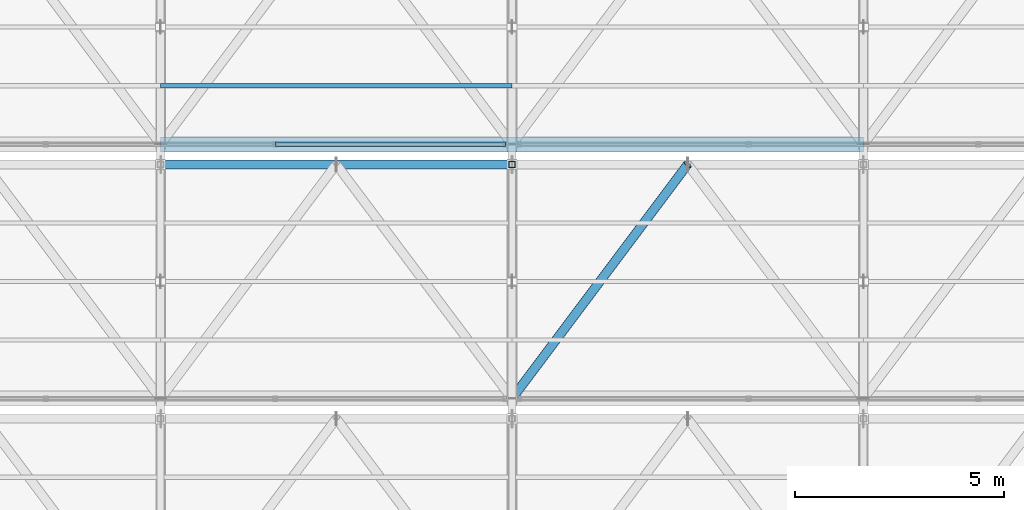
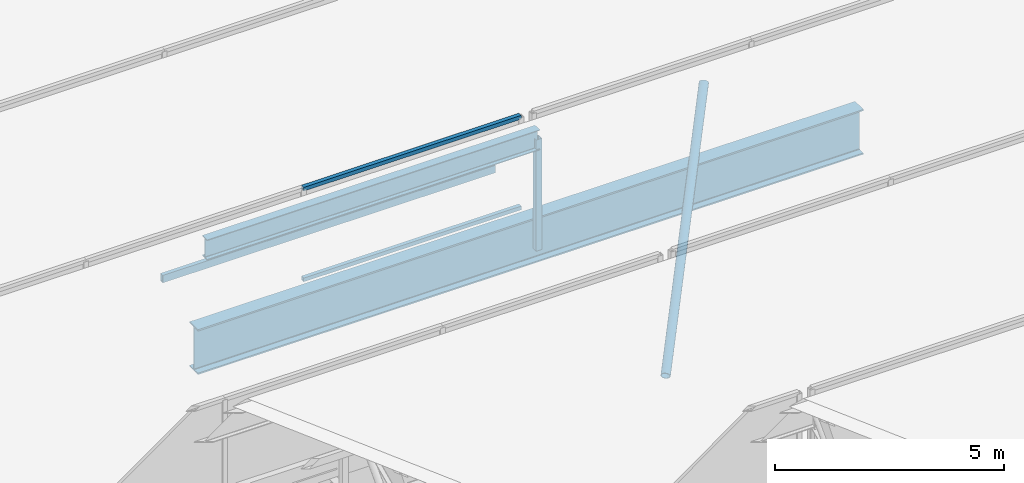
# One storey, part 120 of 217: 6 members, 1 beam, 1 element without a shape of its own.
"""IFC4 building model written with IfcOpenShell, lengths in metres."""

from ifc_helpers import new_model, si_unit, direction, frame, origin, origin_2d, place, context, subcontext, project, spatial, hollow_rectangle, hollow_circle, i_section, extrude, material, material_profile, profile_set, type_object, element, aggregate, save


model = new_model("IFC4")

# Units and contexts
model_context = context("Model", 3, precision=1e-05, world=origin(), true_north=direction((0.0, 1.0)))
body_context = subcontext(model_context, "Body", "Model", "MODEL_VIEW")
ifc_project = project(units=[si_unit("LENGTHUNIT", "METRE"), si_unit("AREAUNIT", "SQUARE_METRE"), si_unit("VOLUMEUNIT", "CUBIC_METRE"), si_unit("PLANEANGLEUNIT", "RADIAN"), si_unit("MASSUNIT", "GRAM", prefix="KILO")], contexts=[model_context])

# Site, building, storey
site_placement = place(None, origin())
site = spatial("IfcSite", under=ifc_project, at=site_placement, CompositionType="ELEMENT")
building_placement = place(site_placement, origin())
building = spatial("IfcBuilding", under=site, at=building_placement, Name="Zuvorla Pavilion Media Centre", CompositionType="ELEMENT")
storey_placement = place(building_placement, frame((0.0, 0.0, 9.60009765625)))
storey = spatial("IfcBuildingStorey", under=building, at=storey_placement, Name="L02", CompositionType="ELEMENT", Elevation=9.60009765625)

# Beam
ifc_material_1 = material(Name="Steel S355", Category="steel")
ifc_material_profile_1 = material_profile(ifc_material_1, i_section(OverallWidth=0.360107421875, OverallDepth=1.199951171875, WebThickness=0.02001953125, FlangeThickness=0.0380859375, FilletRadius=0.02392578125, at=origin_2d()), Name="PG 1200x360x38")
ifc_profile_set_1 = profile_set([ifc_material_profile_1], Name="Steel S355")
beam_type = type_object("IfcBeamType", Name="BM-PG1200", PredefinedType="BEAM", material=ifc_profile_set_1)
beam_placement = place(storey_placement, frame((108.800048828125, 107.840087890625, -0.88818359375), z_axis=(1.0, 0.0, 0.0), x_axis=(0.0, 1.0, 0.0)))
element("IfcBeam", 1, at=beam_placement, inside=storey, type_object=beam_type, Name="L02 beam B01 1800", PredefinedType="BEAM", context=body_context, shape_type="SweptSolid", body=[
    extrude(i_section(OverallWidth=0.360107421875, OverallDepth=1.199951171875, WebThickness=0.02001953125, FlangeThickness=0.0380859375, FilletRadius=0.02392578125, at=origin_2d()), origin(), (0.0, 0.0, 1.0), 16.800048828125),
])

# Curtain wall, members
ifc_material_2 = material(Name="Unitised anodised aluminium and solar glass curtain wall", Category="aluminium")
curtain_wall_type = type_object("IfcCurtainWallType", Name="CW-SYS-88", PredefinedType="USERDEFINED", material=ifc_material_2)
curtain_wall_placement = place(storey_placement, origin())
curtain_wall = element("IfcCurtainWall", 2, at=curtain_wall_placement, inside=storey, type_object=curtain_wall_type, Name="L02 curtain wall CW88 210", ObjectType="CURTAIN WALL", PredefinedType="USERDEFINED")
ifc_material_3 = material(Name="Anodised aluminium 6063-T6", Category="aluminium")
ifc_material_profile_2 = material_profile(ifc_material_3, hollow_rectangle(XDim=0.10009765625, YDim=0.10009765625, WallThickness=0.00439453125, at=origin_2d()), Name="ALU TRAN 100x100")
ifc_profile_set_2 = profile_set([ifc_material_profile_2], Name="Anodised aluminium 6063-T6")
member_type_1 = type_object("IfcMemberType", Name="CW-TRAN-100", PredefinedType="USERDEFINED", material=ifc_profile_set_2)
member_1_placement = place(storey_placement, frame((111.546630859375, 107.840087890625, 0.0), z_axis=(1.0, 0.0, 0.0), x_axis=(0.0, 1.0, 0.0)))
member_1 = element("IfcMember", 3, at=member_1_placement, type_object=member_type_1, Name="CW88 transom 3.1", ObjectType="TRANSOM", PredefinedType="USERDEFINED", context=body_context, shape_type="SweptSolid", body=[
    extrude(hollow_rectangle(XDim=0.10009765625, YDim=0.10009765625, WallThickness=0.00439453125, at=origin_2d()), origin(), (0.0, 0.0, 1.0), 5.493408203125),
])
member_2_placement = place(storey_placement, frame((111.546630859375, 107.840087890625, 2.419921875), z_axis=(1.0, 0.0, 0.0), x_axis=(0.0, 1.0, 0.0)))
member_2 = element("IfcMember", 4, at=member_2_placement, type_object=member_type_1, Name="CW88 transom 3.2", ObjectType="TRANSOM", PredefinedType="USERDEFINED", context=body_context, shape_type="SweptSolid", body=[
    extrude(hollow_rectangle(XDim=0.10009765625, YDim=0.10009765625, WallThickness=0.00439453125, at=origin_2d()), origin(), (0.0, 0.0, 1.0), 5.493408203125),
])
aggregate(curtain_wall, [member_1, member_2])

# Members
ifc_material_profile_3 = material_profile(ifc_material_1, hollow_circle(Radius=0.109619140625, WallThickness=0.010009765625, at=origin_2d()), Name="CHS 219.1x10")
ifc_profile_set_3 = profile_set([ifc_material_profile_3], Name="Steel S355")
member_type_2 = type_object("IfcMemberType", Name="MEM-BRC-CHS219", PredefinedType="BRACE", material=ifc_profile_set_3)
member_3_placement = place(storey_placement, frame((117.199951171875, 101.760009765625, -0.880126953125), z_axis=(0.552511596944, 0.736703540702, 0.389870271191), x_axis=(-0.800008370399, 0.599988839305, 0.0)))
element("IfcMember", 5, at=member_3_placement, inside=storey, type_object=member_type_2, Name="L02 diagonal brace TB02 301", PredefinedType="BRACE", context=body_context, shape_type="SweptSolid", body=[
    extrude(hollow_circle(Radius=0.109619140625, WallThickness=0.010009765625, at=origin_2d()), origin(), (0.0, 0.0, 1.0), 7.6015625),
])
ifc_material_profile_4 = material_profile(ifc_material_1, i_section(OverallWidth=0.2099609375, OverallDepth=0.53662109375, WebThickness=0.0107421875, FlangeThickness=0.017333984375, FilletRadius=0.0126953125, at=origin_2d()), Name="UB 533x210x101")
ifc_profile_set_4 = profile_set([ifc_material_profile_4], Name="Steel S355")
member_type_3 = type_object("IfcMemberType", Name="MEM-CHD-UB533", PredefinedType="CHORD", material=ifc_profile_set_4)
member_4_placement = place(storey_placement, frame((108.800048828125, 107.360107421875, 2.08349609375), z_axis=(1.0, 0.0, 0.0), x_axis=(0.0, 1.0, 0.0)))
element("IfcMember", 6, at=member_4_placement, inside=storey, type_object=member_type_3, Name="L02 chord TC02 294", PredefinedType="CHORD", context=body_context, shape_type="SweptSolid", body=[
    extrude(i_section(OverallWidth=0.2099609375, OverallDepth=0.53662109375, WebThickness=0.0107421875, FlangeThickness=0.017333984375, FilletRadius=0.0126953125, at=origin_2d()), origin(), (0.0, 0.0, 1.0), 8.39990234375),
])
ifc_material_profile_5 = material_profile(ifc_material_1, hollow_rectangle(XDim=0.10009765625, YDim=0.199951171875, WallThickness=0.008056640625, at=origin_2d()), Name="RHS 200x100x8")
ifc_profile_set_5 = profile_set([ifc_material_profile_5], Name="Steel S355")
member_type_4 = type_object("IfcMemberType", Name="MEM-PUR-RHS200", PredefinedType="PURLIN", material=ifc_profile_set_5)
member_5_placement = place(storey_placement, frame((108.800048828125, 109.239990234375, 0.133544921875), z_axis=(1.0, 0.0, 0.0), x_axis=(0.0, 1.0, 0.0)))
element("IfcMember", 7, at=member_5_placement, inside=storey, type_object=member_type_4, Name="L02 purlin PR01 390", PredefinedType="PURLIN", context=body_context, shape_type="SweptSolid", body=[
    extrude(hollow_rectangle(XDim=0.10009765625, YDim=0.199951171875, WallThickness=0.008056640625, at=origin_2d()), origin(), (0.0, 0.0, 1.0), 8.39990234375),
])
ifc_material_profile_6 = material_profile(ifc_material_1, hollow_rectangle(XDim=0.14990234375, YDim=0.14990234375, WallThickness=0.008056640625, at=origin_2d()), Name="SHS 150x150x8")
ifc_profile_set_6 = profile_set([ifc_material_profile_6], Name="Steel S355")
member_type_5 = type_object("IfcMemberType", Name="MEM-STR-SHS150", PredefinedType="STRUT", material=ifc_profile_set_6)
member_6_placement = place(storey_placement, frame((117.199951171875, 107.360107421875, -0.880126953125), z_axis=(0.0, 0.0, 1.0), x_axis=(1.0, 0.0, 0.0)))
element("IfcMember", 8, at=member_6_placement, inside=storey, type_object=member_type_5, Name="L02 vertical strut TS01 251", PredefinedType="STRUT", context=body_context, shape_type="SweptSolid", body=[
    extrude(hollow_rectangle(XDim=0.14990234375, YDim=0.14990234375, WallThickness=0.008056640625, at=origin_2d()), origin(), (0.0, 0.0, 1.0), 2.963623046875),
])

save(model, "model.ifc")
